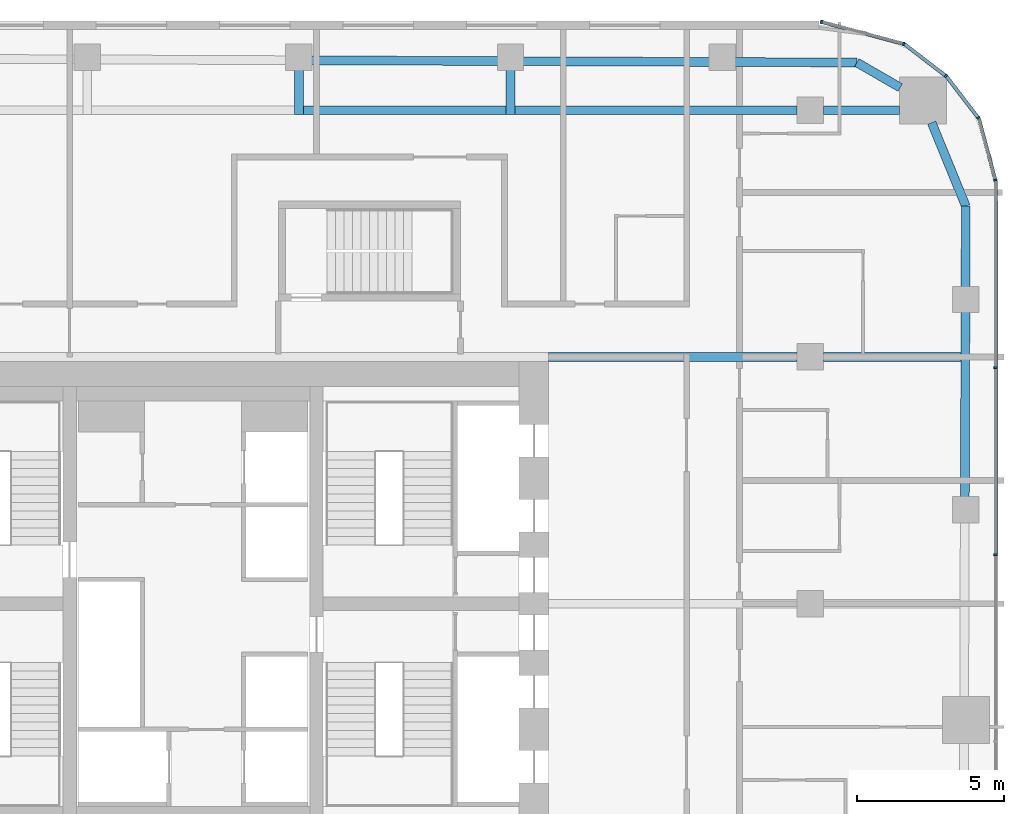
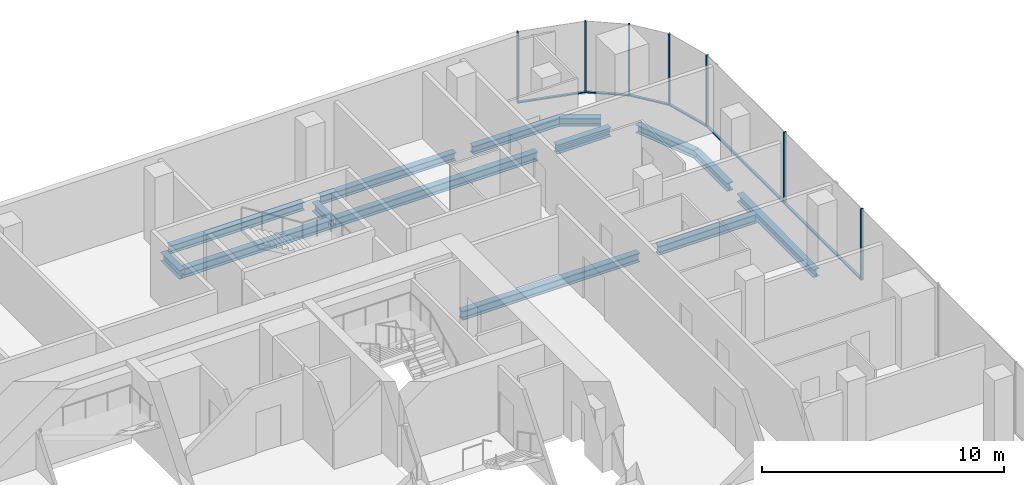
# One storey, part 11 of 23: 14 beams, 13 members, 5 elements without a shape of their own.
"""IFC4 building model written with IfcOpenShell, lengths in metres."""

from ifc_helpers import new_model, si_unit, direction, frame, origin, origin_2d, place, context, subcontext, project, spatial, rectangle, i_section, extrude, material, layer, layer_set, material_profile, profile_set, type_object, element, aggregate, save


model = new_model("IFC4")

# Units and contexts
model_context = context("Model", 3, precision=1e-05, world=origin(), true_north=direction((0.0, 1.0)))
body_context = subcontext(model_context, "Body", "Model", "MODEL_VIEW")
ifc_project = project(units=[si_unit("LENGTHUNIT", "METRE"), si_unit("AREAUNIT", "SQUARE_METRE"), si_unit("VOLUMEUNIT", "CUBIC_METRE"), si_unit("PLANEANGLEUNIT", "RADIAN"), si_unit("MASSUNIT", "GRAM", prefix="KILO")], contexts=[model_context])

# Site, building, storey
site_placement = place(None, origin())
site = spatial("IfcSite", under=ifc_project, at=site_placement, CompositionType="ELEMENT")
building_placement = place(site_placement, origin())
building = spatial("IfcBuilding", under=site, at=building_placement, Name="Marenta Gate Hotel Tower", CompositionType="ELEMENT")
storey_placement = place(building_placement, frame((0.0, 0.0, 162.5)))
storey = spatial("IfcBuildingStorey", under=building, at=storey_placement, Name="L38", CompositionType="ELEMENT", Elevation=162.5)

# Beams
ifc_material_1 = material(Name="Steel S355", Category="steel")
ifc_material_profile_1 = material_profile(ifc_material_1, i_section(OverallWidth=0.300048828125, OverallDepth=0.39990234375, WebThickness=0.013427734375, FlangeThickness=0.02392578125, FilletRadius=0.027099609375, at=origin_2d()), Name="HEB 400")
ifc_profile_set_1 = profile_set([ifc_material_profile_1], Name="Steel S355")
beam_type_1 = type_object("IfcBeamType", Name="Edge beam HEB 400", PredefinedType="SPANDREL", material=ifc_profile_set_1)
beam_1_placement = place(storey_placement, frame((4.011474609375, 26.89697265625, -0.4599609375), z_axis=(0.999991780119, -0.004054589324, 0.0), x_axis=(0.004054589324, 0.999991780119, 0.0)))
element("IfcBeam", 1, at=beam_1_placement, inside=storey, type_object=beam_type_1, Name="L38-EB-17", PredefinedType="SPANDREL", context=body_context, shape_type="SweptSolid", body=[
    extrude(i_section(OverallWidth=0.300048828125, OverallDepth=0.39990234375, WebThickness=0.013427734375, FlangeThickness=0.02392578125, FilletRadius=0.027099609375, at=origin_2d()), origin(), (0.0, 0.0, 1.0), 6.382568359375),
])
beam_2_placement = place(storey_placement, frame((11.214111328125, 26.86767578125, -0.4599609375), z_axis=(0.999991780748, -0.00405443424, 0.0), x_axis=(0.00405443424, 0.999991780748, 0.0)))
element("IfcBeam", 2, at=beam_2_placement, inside=storey, type_object=beam_type_1, Name="L38-EB-18", PredefinedType="SPANDREL", context=body_context, shape_type="SweptSolid", body=[
    extrude(i_section(OverallWidth=0.300048828125, OverallDepth=0.39990234375, WebThickness=0.013427734375, FlangeThickness=0.02392578125, FilletRadius=0.027099609375, at=origin_2d()), origin(), (0.0, 0.0, 1.0), 6.3828125),
])
beam_3_placement = place(storey_placement, frame((18.4169921875, 26.83837890625, -0.4599609375), z_axis=(0.999991621459, -0.004093532953, 0.0), x_axis=(0.004093532953, 0.999991621459, 0.0)))
element("IfcBeam", 3, at=beam_3_placement, inside=storey, type_object=beam_type_1, Name="L38-EB-19", PredefinedType="SPANDREL", context=body_context, shape_type="SweptSolid", body=[
    extrude(i_section(OverallWidth=0.300048828125, OverallDepth=0.39990234375, WebThickness=0.013427734375, FlangeThickness=0.02392578125, FilletRadius=0.027099609375, at=origin_2d()), origin(), (0.0, 0.0, 1.0), 4.1748046875),
])
beam_4_placement = place(storey_placement, frame((22.591796875, 26.8212890625, -0.4599609375), z_axis=(0.866016478054, -0.500015459501, 0.0), x_axis=(0.500015459501, 0.866016478054, 0.0)))
element("IfcBeam", 4, at=beam_4_placement, inside=storey, type_object=beam_type_1, Name="L38-EB-20", PredefinedType="SPANDREL", context=body_context, shape_type="SweptSolid", body=[
    extrude(i_section(OverallWidth=0.300048828125, OverallDepth=0.39990234375, WebThickness=0.013427734375, FlangeThickness=0.02392578125, FilletRadius=0.027099609375, at=origin_2d()), origin(), (0.0, 0.0, 1.0), 1.70703125),
])
beam_5_placement = place(storey_placement, frame((25.138916015625, 24.7724609375, -0.4599609375), z_axis=(0.378682450416, -0.925526661824, 0.0), x_axis=(0.925526661824, 0.378682450416, 0.0)))
element("IfcBeam", 5, at=beam_5_placement, inside=storey, type_object=beam_type_1, Name="L38-EB-21", PredefinedType="SPANDREL", context=body_context, shape_type="SweptSolid", body=[
    extrude(i_section(OverallWidth=0.300048828125, OverallDepth=0.39990234375, WebThickness=0.013427734375, FlangeThickness=0.02392578125, FilletRadius=0.027099609375, at=origin_2d()), origin(), (0.0, 0.0, 1.0), 3.066162109375),
])
beam_6_placement = place(storey_placement, frame((26.300048828125, 21.9345703125, -0.4599609375), z_axis=(-0.003351542298, -0.999994383566, 0.0), x_axis=(0.999994383566, -0.003351542298, 0.0)))
element("IfcBeam", 6, at=beam_6_placement, inside=storey, type_object=beam_type_1, Name="L38-EB-22", PredefinedType="SPANDREL", context=body_context, shape_type="SweptSolid", body=[
    extrude(i_section(OverallWidth=0.300048828125, OverallDepth=0.39990234375, WebThickness=0.013427734375, FlangeThickness=0.02392578125, FilletRadius=0.027099609375, at=origin_2d()), origin(), (0.0, 0.0, 1.0), 2.76806640625),
])
beam_7_placement = place(storey_placement, frame((26.2880859375, 18.346435546875, -0.4599609375), z_axis=(-0.00335374545, -0.99999437618, 0.0), x_axis=(0.99999437618, -0.00335374545, 0.0)))
element("IfcBeam", 7, at=beam_7_placement, inside=storey, type_object=beam_type_1, Name="L38-EB-23", PredefinedType="SPANDREL", context=body_context, shape_type="SweptSolid", body=[
    extrude(i_section(OverallWidth=0.300048828125, OverallDepth=0.39990234375, WebThickness=0.013427734375, FlangeThickness=0.02392578125, FilletRadius=0.027099609375, at=origin_2d()), origin(), (0.0, 0.0, 1.0), 6.333251953125),
])
ifc_material_2 = material(Name="Steel S355", Category="steel")
ifc_material_profile_2 = material_profile(ifc_material_2, i_section(OverallWidth=0.300048828125, OverallDepth=0.449951171875, WebThickness=0.013916015625, FlangeThickness=0.02587890625, FilletRadius=0.027099609375, at=origin_2d()), Name="HEB 450")
ifc_profile_set_2 = profile_set([ifc_material_profile_2], Name="Steel S355")
beam_type_2 = type_object("IfcBeamType", Name="Girder HEB 450", PredefinedType="BEAM", material=ifc_profile_set_2)
beam_8_placement = place(storey_placement, frame((12.10009765625, 16.800048828125, -0.485107421875), z_axis=(1.0, 0.0, 0.0), x_axis=(0.0, 1.0, 0.0)))
element("IfcBeam", 8, at=beam_8_placement, inside=storey, type_object=beam_type_2, Name="L38-GD-27", PredefinedType="BEAM", context=body_context, shape_type="SweptSolid", body=[
    extrude(i_section(OverallWidth=0.300048828125, OverallDepth=0.449951171875, WebThickness=0.013916015625, FlangeThickness=0.02587890625, FilletRadius=0.027099609375, at=origin_2d()), origin(), (0.0, 0.0, 1.0), 8.449951171875),
])
beam_9_placement = place(storey_placement, frame((21.449951171875, 16.800048828125, -0.485107421875), z_axis=(1.0, 0.0, 0.0), x_axis=(0.0, 1.0, 0.0)))
element("IfcBeam", 9, at=beam_9_placement, inside=storey, type_object=beam_type_2, Name="L38-GD-28", PredefinedType="BEAM", context=body_context, shape_type="SweptSolid", body=[
    extrude(i_section(OverallWidth=0.300048828125, OverallDepth=0.449951171875, WebThickness=0.013916015625, FlangeThickness=0.02587890625, FilletRadius=0.027099609375, at=origin_2d()), origin(), (0.0, 0.0, 1.0), 4.682861328125),
])
beam_10_placement = place(storey_placement, frame((3.75146484375, 25.199951171875, -0.485107421875), z_axis=(1.0, 0.0, 0.0), x_axis=(0.0, 1.0, 0.0)))
element("IfcBeam", 10, at=beam_10_placement, inside=storey, type_object=beam_type_2, Name="L38-GD-33", PredefinedType="BEAM", context=body_context, shape_type="SweptSolid", body=[
    extrude(i_section(OverallWidth=0.300048828125, OverallDepth=0.449951171875, WebThickness=0.013916015625, FlangeThickness=0.02587890625, FilletRadius=0.027099609375, at=origin_2d()), origin(), (0.0, 0.0, 1.0), 6.902587890625),
])
beam_11_placement = place(storey_placement, frame((10.9541015625, 25.199951171875, -0.485107421875), z_axis=(1.0, 0.0, 0.0), x_axis=(0.0, 1.0, 0.0)))
element("IfcBeam", 11, at=beam_11_placement, inside=storey, type_object=beam_type_2, Name="L38-GD-34", PredefinedType="BEAM", context=body_context, shape_type="SweptSolid", body=[
    extrude(i_section(OverallWidth=0.300048828125, OverallDepth=0.449951171875, WebThickness=0.013916015625, FlangeThickness=0.02587890625, FilletRadius=0.027099609375, at=origin_2d()), origin(), (0.0, 0.0, 1.0), 9.595947265625),
])
beam_12_placement = place(storey_placement, frame((21.449951171875, 25.199951171875, -0.485107421875), z_axis=(1.0, 0.0, 0.0), x_axis=(0.0, 1.0, 0.0)))
element("IfcBeam", 12, at=beam_12_placement, inside=storey, type_object=beam_type_2, Name="L38-GD-35", PredefinedType="BEAM", context=body_context, shape_type="SweptSolid", body=[
    extrude(i_section(OverallWidth=0.300048828125, OverallDepth=0.449951171875, WebThickness=0.013916015625, FlangeThickness=0.02587890625, FilletRadius=0.027099609375, at=origin_2d()), origin(), (0.0, 0.0, 1.0), 2.58544921875),
])
ifc_material_3 = material(Name="Steel S355", Category="steel")
ifc_material_profile_3 = material_profile(ifc_material_3, i_section(OverallWidth=0.300048828125, OverallDepth=0.449951171875, WebThickness=0.013916015625, FlangeThickness=0.02587890625, FilletRadius=0.027099609375, at=origin_2d()), Name="HEB 450")
ifc_profile_set_3 = profile_set([ifc_material_profile_3], Name="Steel S355")
beam_type_3 = type_object("IfcBeamType", Name="Girder bracket HEB 450", PredefinedType="BEAM", material=ifc_profile_set_3)
for number, where, z_axis, x_axis, name in (
    (13, (3.601318359375, 25.050048828125, -0.485107421875), (0.0, 1.0, 0.0), (-1.0, 0.0, 0.0), "L38-GS-3"),
    (14, (10.80419921875, 25.050048828125, -0.485107421875), (0.0, 1.0, 0.0), (-1.0, 0.0, 0.0), "L38-GS-4"),
):
    element("IfcBeam", number, at=place(storey_placement, frame(where, z_axis=z_axis, x_axis=x_axis)), inside=storey, type_object=beam_type_3, Name=name, PredefinedType="BEAM", context=body_context, shape_type="SweptSolid", body=[
        extrude(i_section(OverallWidth=0.300048828125, OverallDepth=0.449951171875, WebThickness=0.013916015625, FlangeThickness=0.02587890625, FilletRadius=0.027099609375, at=origin_2d()), origin(), (0.0, 0.0, 1.0), 1.5400390625),
    ])

# Curtain wall, members
ifc_material_4 = material(Name="Tinted insulated glass in bronze anodised frame", Category="glass")
ifc_layer = layer(ifc_material_4, 0.1201171875)
ifc_layer_set = layer_set([ifc_layer], Name="Tinted insulated glass in bronze anodised frame")
curtain_wall_type = type_object("IfcCurtainWallType", Name="Tower unitised curtain wall CW1", PredefinedType="NOTDEFINED", material=ifc_layer_set)
curtain_wall_1_placement = place(storey_placement, origin())
curtain_wall_1 = element("IfcCurtainWall", 15, at=curtain_wall_1_placement, inside=storey, type_object=curtain_wall_type, Name="CW1 run G11", PredefinedType="NOTDEFINED")
ifc_material_5 = material(Name="Bronze anodised aluminium", Category="aluminium")
ifc_material_profile_4 = material_profile(ifc_material_5, rectangle(XDim=0.1201171875, YDim=0.06005859375, at=origin_2d()), Name="Mullion CW1 60x120 bronze anodised aluminium")
ifc_profile_set_4 = profile_set([ifc_material_profile_4], Name="Bronze anodised aluminium")
member_type_1 = type_object("IfcMemberType", Name="Mullion CW1 60x120 bronze anodised aluminium", PredefinedType="MULLION", material=ifc_profile_set_4)
member_1_placement = place(storey_placement, frame((27.31396484375, 10.072021484375, 0.0), z_axis=(0.0, 0.0, 1.0), x_axis=(-1.0, 0.0, 0.0)))
member_1 = element("IfcMember", 16, at=member_1_placement, type_object=member_type_1, Name="CW1 mullion 5", PredefinedType="MULLION", context=body_context, shape_type="SweptSolid", body=[
    extrude(rectangle(XDim=0.1201171875, YDim=0.06005859375, at=origin_2d()), origin(), (0.0, 0.0, 1.0), 3.60009765625),
])
member_2_placement = place(storey_placement, frame((27.31396484375, 16.431884765625, 0.0), z_axis=(0.0, 0.0, 1.0), x_axis=(-1.0, 0.0, 0.0)))
member_2 = element("IfcMember", 17, at=member_2_placement, type_object=member_type_1, Name="CW1 mullion 6", PredefinedType="MULLION", context=body_context, shape_type="SweptSolid", body=[
    extrude(rectangle(XDim=0.1201171875, YDim=0.06005859375, at=origin_2d()), origin(), (0.0, 0.0, 1.0), 3.60009765625),
])

# Curtain wall, member
curtain_wall_2_placement = place(storey_placement, origin())
curtain_wall_2 = element("IfcCurtainWall", 18, at=curtain_wall_2_placement, inside=storey, type_object=curtain_wall_type, Name="CW1 run G12", PredefinedType="NOTDEFINED")
member_3_placement = place(storey_placement, frame((27.30615234375, 22.82080078125, 0.0), z_axis=(0.0, 0.0, 1.0), x_axis=(-0.965924859908, -0.258822651658, 0.0)))
member_3 = element("IfcMember", 19, at=member_3_placement, type_object=member_type_1, Name="CW1 mullion 1", PredefinedType="MULLION", context=body_context, shape_type="SweptSolid", body=[
    extrude(rectangle(XDim=0.1201171875, YDim=0.06005859375, at=origin_2d()), origin(), (0.0, 0.0, 1.0), 3.60009765625),
])

curtain_wall_3_placement = place(storey_placement, origin())
curtain_wall_3 = element("IfcCurtainWall", 20, at=curtain_wall_3_placement, inside=storey, type_object=curtain_wall_type, Name="CW1 run G13", PredefinedType="NOTDEFINED")
member_4_placement = place(storey_placement, frame((26.727783203125, 24.93505859375, 0.0), z_axis=(0.0, 0.0, 1.0), x_axis=(-0.793326722289, -0.608796116694, 0.0)))
member_4 = element("IfcMember", 21, at=member_4_placement, type_object=member_type_1, Name="CW1 mullion 1", PredefinedType="MULLION", context=body_context, shape_type="SweptSolid", body=[
    extrude(rectangle(XDim=0.1201171875, YDim=0.06005859375, at=origin_2d()), origin(), (0.0, 0.0, 1.0), 3.60009765625),
])

curtain_wall_4_placement = place(storey_placement, origin())
curtain_wall_4 = element("IfcCurtainWall", 22, at=curtain_wall_4_placement, inside=storey, type_object=curtain_wall_type, Name="CW1 run G14", PredefinedType="NOTDEFINED")
member_5_placement = place(storey_placement, frame((25.62158203125, 26.36376953125, 0.0), z_axis=(0.0, 0.0, 1.0), x_axis=(-0.608796116694, -0.793326722289, 0.0)))
member_5 = element("IfcMember", 23, at=member_5_placement, type_object=member_type_1, Name="CW1 mullion 1", PredefinedType="MULLION", context=body_context, shape_type="SweptSolid", body=[
    extrude(rectangle(XDim=0.1201171875, YDim=0.06005859375, at=origin_2d()), origin(), (0.0, 0.0, 1.0), 3.60009765625),
])

# Curtain wall, members
curtain_wall_5_placement = place(storey_placement, origin())
curtain_wall_5 = element("IfcCurtainWall", 24, at=curtain_wall_5_placement, inside=storey, type_object=curtain_wall_type, Name="CW1 run G15", PredefinedType="NOTDEFINED")
member_6_placement = place(storey_placement, frame((24.182373046875, 27.453857421875, 0.0), z_axis=(0.0, 0.0, 1.0), x_axis=(-0.258805989975, -0.965929324305, 0.0)))
member_6 = element("IfcMember", 25, at=member_6_placement, type_object=member_type_1, Name="CW1 mullion 1", PredefinedType="MULLION", context=body_context, shape_type="SweptSolid", body=[
    extrude(rectangle(XDim=0.1201171875, YDim=0.06005859375, at=origin_2d()), origin(), (0.0, 0.0, 1.0), 3.60009765625),
])
member_7_placement = place(storey_placement, frame((21.385498046875, 28.203125, 0.0), z_axis=(0.0, 0.0, 1.0), x_axis=(-0.258805989975, -0.965929324305, 0.0)))
member_7 = element("IfcMember", 26, at=member_7_placement, type_object=member_type_1, Name="CW1 mullion 2", PredefinedType="MULLION", context=body_context, shape_type="SweptSolid", body=[
    extrude(rectangle(XDim=0.1201171875, YDim=0.06005859375, at=origin_2d()), origin(), (0.0, 0.0, 1.0), 3.60009765625),
])

# Member
ifc_material_6 = material(Name="Bronze anodised aluminium", Category="aluminium")
ifc_material_profile_5 = material_profile(ifc_material_6, rectangle(XDim=0.1201171875, YDim=0.06005859375, at=origin_2d()), Name="Transom CW1 60x120 bronze anodised aluminium")
ifc_profile_set_5 = profile_set([ifc_material_profile_5], Name="Bronze anodised aluminium")
member_type_2 = type_object("IfcMemberType", Name="Transom CW1 60x120 bronze anodised aluminium", PredefinedType="USERDEFINED", material=ifc_profile_set_5)
member_8_placement = place(storey_placement, frame((27.31396484375, 10.10205078125, 0.030029296875), z_axis=(0.0, 1.0, 0.0), x_axis=(-1.0, 0.0, 0.0)))
member_8 = element("IfcMember", 27, at=member_8_placement, type_object=member_type_2, Name="CW1 transom 5.1", ObjectType="TRANSOM", PredefinedType="USERDEFINED", context=body_context, shape_type="SweptSolid", body=[
    extrude(rectangle(XDim=0.1201171875, YDim=0.06005859375, at=origin_2d()), origin(), (0.0, 0.0, 1.0), 6.2998046875),
])

member_9_placement = place(storey_placement, frame((27.31396484375, 16.4619140625, 0.030029296875), z_axis=(0.0, 1.0, 0.0), x_axis=(-1.0, 0.0, 0.0)))
member_9 = element("IfcMember", 28, at=member_9_placement, type_object=member_type_2, Name="CW1 transom 6.1", ObjectType="TRANSOM", PredefinedType="USERDEFINED", context=body_context, shape_type="SweptSolid", body=[
    extrude(rectangle(XDim=0.1201171875, YDim=0.06005859375, at=origin_2d()), origin(), (0.0, 0.0, 1.0), 6.330078125),
])

aggregate(curtain_wall_1, [member_1, member_2, member_8, member_9])

member_10_placement = place(storey_placement, frame((27.298583984375, 22.849853515625, 0.030029296875), z_axis=(-0.258865686882, 0.965913327455, 0.0), x_axis=(-0.965913327455, -0.258865686882, 0.0)))
member_10 = element("IfcMember", 29, at=member_10_placement, type_object=member_type_2, Name="CW1 transom 1.1", ObjectType="TRANSOM", PredefinedType="USERDEFINED", context=body_context, shape_type="SweptSolid", body=[
    extrude(rectangle(XDim=0.1201171875, YDim=0.06005859375, at=origin_2d()), origin(), (0.0, 0.0, 1.0), 2.13427734375),
])

aggregate(curtain_wall_2, [member_3, member_10])

member_11_placement = place(storey_placement, frame((26.70947265625, 24.958984375, 0.030029296875), z_axis=(-0.608792205599, 0.793329723634, 0.0), x_axis=(-0.793329723634, -0.608792205599, 0.0)))
member_11 = element("IfcMember", 30, at=member_11_placement, type_object=member_type_2, Name="CW1 transom 1.1", ObjectType="TRANSOM", PredefinedType="USERDEFINED", context=body_context, shape_type="SweptSolid", body=[
    extrude(rectangle(XDim=0.1201171875, YDim=0.06005859375, at=origin_2d()), origin(), (0.0, 0.0, 1.0), 1.74755859375),
])

aggregate(curtain_wall_3, [member_4, member_11])

member_12_placement = place(storey_placement, frame((25.597900390625, 26.382080078125, 0.030029296875), z_axis=(-0.793381490019, 0.608724741814, 0.0), x_axis=(-0.608724741814, -0.793381490019, 0.0)))
member_12 = element("IfcMember", 31, at=member_12_placement, type_object=member_type_2, Name="CW1 transom 1.1", ObjectType="TRANSOM", PredefinedType="USERDEFINED", context=body_context, shape_type="SweptSolid", body=[
    extrude(rectangle(XDim=0.1201171875, YDim=0.06005859375, at=origin_2d()), origin(), (0.0, 0.0, 1.0), 1.747802734375),
])

aggregate(curtain_wall_4, [member_5, member_12])

member_13_placement = place(storey_placement, frame((24.1533203125, 27.461669921875, 0.030029296875), z_axis=(-0.965922684272, 0.258830770986, 0.0), x_axis=(-0.258830770986, -0.965922684272, 0.0)))
member_13 = element("IfcMember", 32, at=member_13_placement, type_object=member_type_2, Name="CW1 transom 1.1", ObjectType="TRANSOM", PredefinedType="USERDEFINED", context=body_context, shape_type="SweptSolid", body=[
    extrude(rectangle(XDim=0.1201171875, YDim=0.06005859375, at=origin_2d()), origin(), (0.0, 0.0, 1.0), 2.83544921875),
])

aggregate(curtain_wall_5, [member_6, member_7, member_13])

save(model, "model.ifc")
